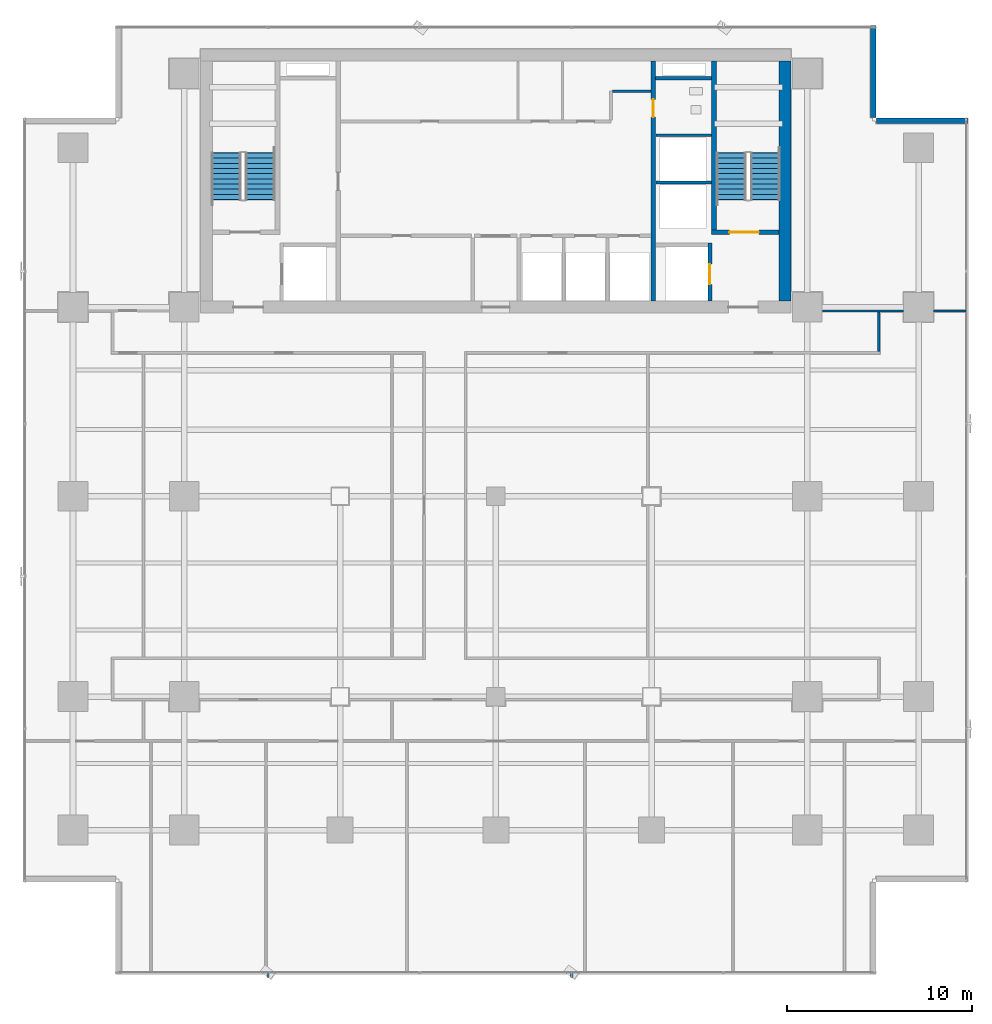
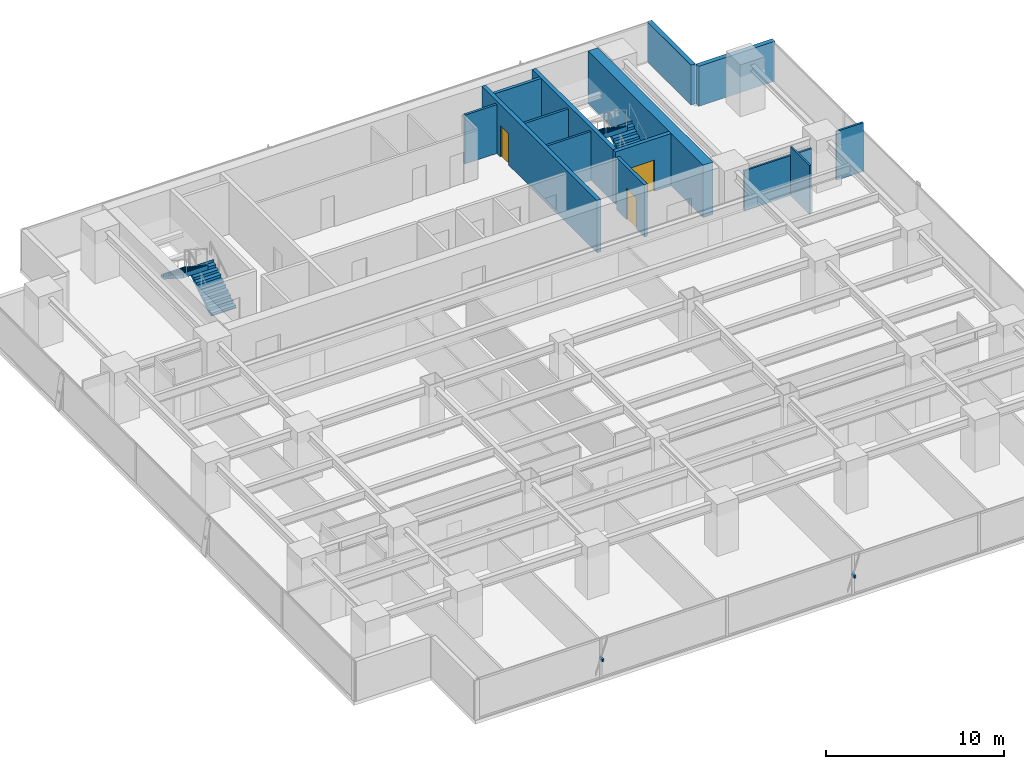
# One storey, part 30 of 36: 14 walls, 4 stair flights, 3 doors, 2 discrete accessories, 3 openings, 2 elements without a shape of their own.
"""IFC4 building model written with IfcOpenShell, lengths in metres."""

from ifc_helpers import new_model, si_unit, direction, frame, frame_2d, origin, origin_2d, place, context, subcontext, project, spatial, polyline, rectangle, outline, extrude, source, transform, mapped, material, layer, layer_set, material_profile, profile_set, type_object, element, fill, aggregate, save


model = new_model("IFC4")

# Units and contexts
model_context = context("Model", 3, precision=1e-05, world=origin(), true_north=direction((0.0, 1.0)))
body_context = subcontext(model_context, "Body", "Model", "MODEL_VIEW")
ifc_project = project(units=[si_unit("LENGTHUNIT", "METRE"), si_unit("AREAUNIT", "SQUARE_METRE"), si_unit("VOLUMEUNIT", "CUBIC_METRE"), si_unit("PLANEANGLEUNIT", "RADIAN"), si_unit("MASSUNIT", "GRAM", prefix="KILO")], contexts=[model_context])

# Site, building, storey
site_placement = place(None, origin())
site = spatial("IfcSite", under=ifc_project, at=site_placement, CompositionType="ELEMENT")
building_placement = place(site_placement, origin())
building = spatial("IfcBuilding", under=site, at=building_placement, Name="Sumidabori Civic Tower", CompositionType="ELEMENT")
storey_placement = place(building_placement, frame((0.0, 0.0, 84.800048828125)))
storey = spatial("IfcBuildingStorey", under=building, at=storey_placement, Name="L21", CompositionType="ELEMENT", Elevation=84.800048828125)

# Walls
ifc_material_1 = material(Name="Concrete C50/60", Category="concrete")
ifc_layer_1 = layer(ifc_material_1, 0.199951171875, Name="Concrete C50/60")
ifc_layer_set_1 = layer_set([ifc_layer_1], Name="Concrete C50/60")
wall_type_1 = type_object("IfcWallType", Name="WL-SHAFT-200", PredefinedType="SHEAR", material=ifc_layer_set_1)
shared_shape_1 = source(origin(), body_context, "Body", "SweptSolid", [
    extrude(rectangle(XDim=3.02001953125, YDim=0.199951171875, at=frame_2d((1.510009765625, 0.0))), origin(), (0.0, 0.0, 1.0), 3.599853515625),
])
wall_1_placement = place(storey_placement, frame((8.625, 22.550048828125, 0.0), z_axis=(0.0, 0.0, 1.0), x_axis=(1.0, 0.0, 0.0)))
element("IfcWall", 1, at=wall_1_placement, inside=storey, type_object=wall_type_1, Name="Core Shear Wall L21 RIS2-S", PredefinedType="SHEAR", context=body_context, shape_type="MappedRepresentation", body=[
    mapped(shared_shape_1, transform((0.0, 0.0, 0.0), x_axis=(1.0, 0.0, 0.0), y_axis=(0.0, 1.0, 0.0), z_axis=(0.0, 0.0, 1.0), scale=1.0)),
])
ifc_material_2 = material(Name="Concrete C60/75", Category="concrete")
ifc_layer_2 = layer(ifc_material_2, 0.64990234375, Name="Concrete C60/75")
ifc_layer_set_2 = layer_set([ifc_layer_2], Name="Concrete C60/75")
wall_type_2 = type_object("IfcWallType", Name="WL-CORE-650", PredefinedType="SHEAR", material=ifc_layer_set_2)
shared_shape_2 = source(origin(), body_context, "Body", "SweptSolid", [
    extrude(rectangle(XDim=12.9501953125, YDim=0.64990234375, at=frame_2d((6.47509765625, 0.0))), origin(), (0.0, 0.0, 1.0), 3.599853515625),
])
wall_2_placement = place(storey_placement, frame((15.60009765625, 10.52490234375, 0.0), z_axis=(0.0, 0.0, 1.0), x_axis=(0.0, 1.0, 0.0)))
element("IfcWall", 2, at=wall_2_placement, inside=storey, type_object=wall_type_2, Name="Core Shear Wall L21 E", PredefinedType="SHEAR", context=body_context, shape_type="MappedRepresentation", body=[
    mapped(shared_shape_2, transform((0.0, 0.0, 0.0), x_axis=(1.0, 0.0, 0.0), y_axis=(0.0, 1.0, 0.0), z_axis=(0.0, 0.0, 1.0), scale=1.0)),
])

# Wall, opening, door
ifc_layer_3 = layer(ifc_material_1, 0.25, Name="Concrete C50/60")
ifc_layer_set_3 = layer_set([ifc_layer_3], Name="Concrete C50/60")
wall_type_3 = type_object("IfcWallType", Name="WL-SHAFT-250", PredefinedType="SHEAR", material=ifc_layer_set_3)
shared_shape_3 = source(origin(), body_context, "Body", "SweptSolid", [
    extrude(rectangle(XDim=12.9501953125, YDim=0.25, at=frame_2d((6.47509765625, 0.0))), origin(), (0.0, 0.0, 1.0), 3.599853515625),
])
wall_3_placement = place(storey_placement, frame((8.5, 10.52490234375, 0.0), z_axis=(0.0, 0.0, 1.0), x_axis=(0.0, 1.0, 0.0)))
wall_3 = element("IfcWall", 3, at=wall_3_placement, inside=storey, type_object=wall_type_3, Name="Core Shear Wall L21 WEB-E", PredefinedType="SHEAR", context=body_context, shape_type="MappedRepresentation", body=[
    mapped(shared_shape_3, transform((0.0, 0.0, 0.0), x_axis=(1.0, 0.0, 0.0), y_axis=(0.0, 1.0, 0.0), z_axis=(0.0, 0.0, 1.0), scale=1.0)),
])
opening_1_placement = place(wall_3_placement, frame((9.925048828125, 0.0, 0.0)))
opening_1 = element("IfcOpeningElement", 4, at=opening_1_placement, cuts=wall_3, Name="Opening DR-2", PredefinedType="OPENING", context=body_context, shape_type="SweptSolid", body=[
    extrude(rectangle(XDim=0.949951171875, YDim=2.14990234375, at=frame_2d((0.47509765625, 1.074951171875))), frame((0.0, 0.136962890625, 0.0), z_axis=(0.0, -1.0, 0.0), x_axis=(1.0, 0.0, 0.0)), (0.0, 0.0, 1.0), 0.27392578125),
])
ifc_material_3 = material(Name="Japanese Hinoki Timber", Category="wood")
door_type_1 = type_object("IfcDoorType", Name="DR-INT-950", OperationType="NOTDEFINED", PredefinedType="DOOR", material=ifc_material_3)
shared_shape_4 = source(origin(), body_context, "Body", "SweptSolid", [
    extrude(rectangle(XDim=0.949951171875, YDim=2.14990234375, at=frame_2d((0.47509765625, 1.074951171875))), frame((0.0, 0.02490234375, 0.0), z_axis=(0.0, -1.0, 0.0), x_axis=(1.0, 0.0, 0.0)), (0.0, 0.0, 1.0), 0.050048828125),
])
door_1_placement = place(opening_1_placement, origin())
door_1 = element("IfcDoor", 5, at=door_1_placement, inside=storey, type_object=door_type_1, Name="Door DR:L21:WC-ACC", OperationType="SINGLE_SWING_RIGHT", OverallHeight=2.14990234375, OverallWidth=0.949951171875, PredefinedType="DOOR", context=body_context, shape_type="MappedRepresentation", body=[
    mapped(shared_shape_4, transform((0.0, 0.0, 0.0), x_axis=(1.0, 0.0, 0.0), y_axis=(0.0, 1.0, 0.0), z_axis=(0.0, 0.0, 1.0), scale=1.0)),
])
fill(opening_1, door_1)

shared_shape_5 = source(origin(), body_context, "Body", "SweptSolid", [
    extrude(rectangle(XDim=3.6298828125, YDim=0.25, at=frame_2d((1.81494140625, 0.0))), origin(), (0.0, 0.0, 1.0), 3.599853515625),
])
wall_4_placement = place(storey_placement, frame((11.64501953125, 14.25, 0.0), z_axis=(0.0, 0.0, 1.0), x_axis=(1.0, 0.0, 0.0)))
wall_4 = element("IfcWall", 6, at=wall_4_placement, inside=storey, type_object=wall_type_3, Name="Core Shear Wall L21 ST2-S", PredefinedType="SHEAR", context=body_context, shape_type="MappedRepresentation", body=[
    mapped(shared_shape_5, transform((0.0, 0.0, 0.0), x_axis=(1.0, 0.0, 0.0), y_axis=(0.0, 1.0, 0.0), z_axis=(0.0, 0.0, 1.0), scale=1.0)),
])
opening_2_placement = place(wall_4_placement, frame((0.949951171875, 0.0, 0.0)))
opening_2 = element("IfcOpeningElement", 7, at=opening_2_placement, cuts=wall_4, Name="Opening DR-FD4", PredefinedType="OPENING", context=body_context, shape_type="SweptSolid", body=[
    extrude(rectangle(XDim=1.60009765625, YDim=2.14990234375, at=frame_2d((0.800048828125, 1.074951171875))), frame((0.0, 0.136962890625, 0.0), z_axis=(0.0, -1.0, 0.0), x_axis=(1.0, 0.0, 0.0)), (0.0, 0.0, 1.0), 0.27392578125),
])
ifc_material_4 = material(Name="Steel SN490", Category="steel")
door_type_2 = type_object("IfcDoorType", Name="DR-FD4", OperationType="DOUBLE_DOOR_SINGLE_SWING", PredefinedType="DOOR", material=ifc_material_4)
shared_shape_6 = source(origin(), body_context, "Body", "SweptSolid", [
    extrude(rectangle(XDim=1.60009765625, YDim=2.14990234375, at=frame_2d((0.800048828125, 1.074951171875))), frame((0.0, 0.02490234375, 0.0), z_axis=(0.0, -1.0, 0.0), x_axis=(1.0, 0.0, 0.0)), (0.0, 0.0, 1.0), 0.050048828125),
])
door_2_placement = place(opening_2_placement, origin())
door_2 = element("IfcDoor", 8, at=door_2_placement, inside=storey, type_object=door_type_2, Name="Door DR:L21:ST2", OperationType="DOUBLE_DOOR_SINGLE_SWING", OverallHeight=2.14990234375, OverallWidth=1.60009765625, PredefinedType="DOOR", context=body_context, shape_type="MappedRepresentation", body=[
    mapped(shared_shape_6, transform((0.0, 0.0, 0.0), x_axis=(1.0, 0.0, 0.0), y_axis=(0.0, 1.0, 0.0), z_axis=(0.0, 0.0, 1.0), scale=1.0)),
])
fill(opening_2, door_2)

# Wall
shared_shape_7 = source(origin(), body_context, "Body", "SweptSolid", [
    extrude(rectangle(XDim=9.10009765625, YDim=0.25, at=frame_2d((4.550048828125, 0.0))), origin(), (0.0, 0.0, 1.0), 3.599853515625),
])
wall_5_placement = place(storey_placement, frame((11.77001953125, 14.375, 0.0), z_axis=(0.0, 0.0, 1.0), x_axis=(0.0, 1.0, 0.0)))
element("IfcWall", 9, at=wall_5_placement, inside=storey, type_object=wall_type_3, Name="Core Shear Wall L21 ST2-W", PredefinedType="SHEAR", context=body_context, shape_type="MappedRepresentation", body=[
    mapped(shared_shape_7, transform((0.0, 0.0, 0.0), x_axis=(1.0, 0.0, 0.0), y_axis=(0.0, 1.0, 0.0), z_axis=(0.0, 0.0, 1.0), scale=1.0)),
])

# Wall, opening, door
shared_shape_8 = source(origin(), body_context, "Body", "SweptSolid", [
    extrude(rectangle(XDim=3.125, YDim=0.199951171875, at=frame_2d((1.5625, 0.0))), origin(), (0.0, 0.0, 1.0), 3.599853515625),
])
wall_6_placement = place(storey_placement, frame((11.550048828125, 10.52490234375, 0.0), z_axis=(0.0, 0.0, 1.0), x_axis=(0.0, 1.0, 0.0)))
wall_6 = element("IfcWall", 10, at=wall_6_placement, inside=storey, type_object=wall_type_1, Name="Core Shear Wall L21 EL2-E", PredefinedType="SHEAR", context=body_context, shape_type="MappedRepresentation", body=[
    mapped(shared_shape_8, transform((0.0, 0.0, 0.0), x_axis=(1.0, 0.0, 0.0), y_axis=(0.0, 1.0, 0.0), z_axis=(0.0, 0.0, 1.0), scale=1.0)),
])
opening_3_placement = place(wall_6_placement, frame((0.89990234375, 0.0, 0.0)))
opening_3 = element("IfcOpeningElement", 11, at=opening_3_placement, cuts=wall_6, Name="Opening LD-2", PredefinedType="OPENING", context=body_context, shape_type="SweptSolid", body=[
    extrude(rectangle(XDim=1.10009765625, YDim=2.14990234375, at=frame_2d((0.550048828125, 1.074951171875))), frame((0.0, 0.11181640625, 0.0), z_axis=(0.0, -1.0, 0.0), x_axis=(1.0, 0.0, 0.0)), (0.0, 0.0, 1.0), 0.223876953125),
])
ifc_material_5 = material(Name="Stainless Steel Hairline Finish", Category="steel")
door_type_3 = type_object("IfcDoorType", Name="DR-LD2", OperationType="DOUBLE_DOOR_SLIDING", PredefinedType="DOOR", material=ifc_material_5)
shared_shape_9 = source(origin(), body_context, "Body", "SweptSolid", [
    extrude(rectangle(XDim=1.10009765625, YDim=2.14990234375, at=frame_2d((0.550048828125, 1.074951171875))), frame((0.0, 0.02490234375, 0.0), z_axis=(0.0, -1.0, 0.0), x_axis=(1.0, 0.0, 0.0)), (0.0, 0.0, 1.0), 0.050048828125),
])
door_3_placement = place(opening_3_placement, origin())
door_3 = element("IfcDoor", 12, at=door_3_placement, inside=storey, type_object=door_type_3, Name="Door DR:L21:LD-EL2", OperationType="DOUBLE_DOOR_SLIDING", OverallHeight=2.14990234375, OverallWidth=1.10009765625, PredefinedType="DOOR", context=body_context, shape_type="MappedRepresentation", body=[
    mapped(shared_shape_9, transform((0.0, 0.0, 0.0), x_axis=(1.0, 0.0, 0.0), y_axis=(0.0, 1.0, 0.0), z_axis=(0.0, 0.0, 1.0), scale=1.0)),
])
fill(opening_3, door_3)

# Walls
ifc_material_6 = material(Name="Precast concrete C40/50", Category="concrete")
ifc_layer_4 = layer(ifc_material_6, 0.300048828125, Name="Precast concrete C40/50")
ifc_layer_set_4 = layer_set([ifc_layer_4], Name="Precast concrete C40/50")
wall_type_4 = type_object("IfcWallType", Name="WL-EXT-POD300", PredefinedType="STANDARD", material=ifc_layer_set_4)
shared_shape_10 = source(origin(), body_context, "Body", "SweptSolid", [
    extrude(rectangle(XDim=4.9599609375, YDim=0.300048828125, at=frame_2d((2.47998046875, 0.0))), origin(), (0.0, 0.0, 1.0), 2.739990234375),
])
for number, where, z_axis, x_axis, name in (
    (13, (25.47998046875, 20.25, 0.0), (0.0, 0.0, 1.0), (-1.0, 0.0, 0.0), "Notched Corner Spandrel Band L21-05"),
    (14, (20.35009765625, 20.419921875, 0.0), (0.0, 0.0, 1.0), (0.0, 1.0, 0.0), "Notched Corner Spandrel Band L21-06"),
):
    element("IfcWall", number, at=place(storey_placement, frame(where, z_axis=z_axis, x_axis=x_axis)), inside=storey, type_object=wall_type_4, Name=name, PredefinedType="STANDARD", context=body_context, shape_type="MappedRepresentation", body=[
        mapped(shared_shape_10, transform((0.0, 0.0, 0.0), x_axis=(1.0, 0.0, 0.0), y_axis=(0.0, 1.0, 0.0), z_axis=(0.0, 0.0, 1.0), scale=1.0)),
    ])
ifc_material_7 = material(Name="Gypsum Plasterboard Acoustic Partition")
ifc_layer_5 = layer(ifc_material_7, 0.14990234375, Name="Gypsum Plasterboard Acoustic Partition")
ifc_layer_set_5 = layer_set([ifc_layer_5], Name="Gypsum Plasterboard Acoustic Partition")
wall_type_5 = type_object("IfcWallType", Name="WL-PART-150", PredefinedType="PARTITIONING", material=ifc_layer_set_5)
shared_shape_11 = source(origin(), body_context, "Body", "SweptSolid", [
    extrude(rectangle(XDim=3.010009765625, YDim=0.14990234375, at=frame_2d((1.5048828125, 0.0))), origin(), (0.0, 0.0, 1.0), 3.35986328125),
])
for number, where, z_axis, x_axis, name in (
    (15, (8.6298828125, 16.919921875, 0.0), (0.0, 0.0, 1.0), (1.0, 0.0, 0.0), "Interior Partition WL:L21:DIV-OBS1"),
    (16, (8.6298828125, 19.469970703125, 0.0), (0.0, 0.0, 1.0), (1.0, 0.0, 0.0), "Interior Partition WL:L21:DIV-OBS2"),
):
    element("IfcWall", number, at=place(storey_placement, frame(where, z_axis=z_axis, x_axis=x_axis)), inside=storey, type_object=wall_type_5, Name=name, PredefinedType="PARTITIONING", context=body_context, shape_type="MappedRepresentation", body=[
        mapped(shared_shape_11, transform((0.0, 0.0, 0.0), x_axis=(1.0, 0.0, 0.0), y_axis=(0.0, 1.0, 0.0), z_axis=(0.0, 0.0, 1.0), scale=1.0)),
    ])
shared_shape_12 = source(origin(), body_context, "Body", "SweptSolid", [
    extrude(rectangle(XDim=2.070068359375, YDim=0.14990234375, at=frame_2d((1.03515625, 0.0))), origin(), (0.0, 0.0, 1.0), 3.35986328125),
])
wall_7_placement = place(storey_placement, frame((6.300048828125, 21.85009765625, 0.0), z_axis=(0.0, 0.0, 1.0), x_axis=(1.0, 0.0, 0.0)))
element("IfcWall", 17, at=wall_7_placement, inside=storey, type_object=wall_type_5, Name="Interior Partition WL:L21:CBAND-ME2", PredefinedType="PARTITIONING", context=body_context, shape_type="MappedRepresentation", body=[
    mapped(shared_shape_12, transform((0.0, 0.0, 0.0), x_axis=(1.0, 0.0, 0.0), y_axis=(0.0, 1.0, 0.0), z_axis=(0.0, 0.0, 1.0), scale=1.0)),
])
ifc_layer_6 = layer(ifc_material_7, 0.1201171875, Name="Gypsum Plasterboard Acoustic Partition")
ifc_layer_set_6 = layer_set([ifc_layer_6], Name="Gypsum Plasterboard Acoustic Partition")
wall_type_6 = type_object("IfcWallType", Name="WL-PART-120", PredefinedType="PARTITIONING", material=ifc_layer_set_6)
shared_shape_13 = source(origin(), body_context, "Body", "SweptSolid", [
    extrude(rectangle(XDim=1.739990234375, YDim=0.1201171875, at=frame_2d((0.8701171875, 0.0))), origin(), (0.0, 0.0, 1.0), 3.35986328125),
])
wall_8_placement = place(storey_placement, frame((23.610107421875, 10.0, 0.0), z_axis=(0.0, 0.0, 1.0), x_axis=(1.0, 0.0, 0.0)))
element("IfcWall", 18, at=wall_8_placement, inside=storey, type_object=wall_type_6, Name="Interior Partition WL:L21:FLK-NE-2", PredefinedType="PARTITIONING", context=body_context, shape_type="MappedRepresentation", body=[
    mapped(shared_shape_13, transform((0.0, 0.0, 0.0), x_axis=(1.0, 0.0, 0.0), y_axis=(0.0, 1.0, 0.0), z_axis=(0.0, 0.0, 1.0), scale=1.0)),
])
shared_shape_14 = source(origin(), body_context, "Body", "SweptSolid", [
    extrude(rectangle(XDim=4.3798828125, YDim=0.1201171875, at=frame_2d((2.18994140625, 0.0))), origin(), (0.0, 0.0, 1.0), 2.744873046875),
])
wall_9_placement = place(storey_placement, frame((17.610107421875, 10.0, 0.0), z_axis=(0.0, 0.0, 1.0), x_axis=(1.0, 0.0, 0.0)))
element("IfcWall", 19, at=wall_9_placement, inside=storey, type_object=wall_type_6, Name="Interior Partition WL:L21:FLK-NE-1", PredefinedType="PARTITIONING", context=body_context, shape_type="MappedRepresentation", body=[
    mapped(shared_shape_14, transform((0.0, 0.0, 0.0), x_axis=(1.0, 0.0, 0.0), y_axis=(0.0, 1.0, 0.0), z_axis=(0.0, 0.0, 1.0), scale=1.0)),
])
shared_shape_15 = source(origin(), body_context, "Body", "SweptSolid", [
    extrude(rectangle(XDim=2.130126953125, YDim=0.1201171875, at=frame_2d((1.06494140625, 0.0))), origin(), (0.0, 0.0, 1.0), 3.35986328125),
])
wall_10_placement = place(storey_placement, frame((20.659912109375, 7.804931640625, 0.0), z_axis=(0.0, 0.0, 1.0), x_axis=(0.0, 1.0, 0.0)))
element("IfcWall", 20, at=wall_10_placement, inside=storey, type_object=wall_type_6, Name="Interior Partition WL:L21:CORR-VNE", PredefinedType="PARTITIONING", context=body_context, shape_type="MappedRepresentation", body=[
    mapped(shared_shape_15, transform((0.0, 0.0, 0.0), x_axis=(1.0, 0.0, 0.0), y_axis=(0.0, 1.0, 0.0), z_axis=(0.0, 0.0, 1.0), scale=1.0)),
])

# Stair, stair flights
ifc_material_8 = material(Name="Concrete C40/50", Category="concrete")
stair_type = type_object("IfcStairType", Name="ST-CORE-1600", PredefinedType="HALF_TURN_STAIR", material=ifc_material_8)
stair_1_placement = place(storey_placement, origin())
stair_1 = element("IfcStair", 21, at=stair_1_placement, inside=storey, type_object=stair_type, Name="L21 ST-1", PredefinedType="HALF_TURN_STAIR")
stair_flight_type = type_object("IfcStairFlightType", Name="SF-CORE-1600", PredefinedType="STRAIGHT", material=ifc_material_8)
shared_shape_16 = source(origin(), body_context, "Body", "SweptSolid", [
    extrude(outline(polyline([(-0.02490234375, 0.0), (-0.02490234375, 0.0400390625), (0.0, 0.0400390625), (0.0, 0.179931640625), (0.280029296875, 0.179931640625), (0.280029296875, 0.360107421875), (0.56005859375, 0.360107421875), (0.56005859375, 0.5400390625), (0.840087890625, 0.5400390625), (0.840087890625, 0.719970703125), (1.1201171875, 0.719970703125), (1.1201171875, 0.89990234375), (1.39990234375, 0.89990234375), (1.39990234375, 1.080078125), (1.679931640625, 1.080078125), (1.679931640625, 1.260009765625), (1.9599609375, 1.260009765625), (1.9599609375, 1.43994140625), (2.239990234375, 1.43994140625), (2.239990234375, 1.6201171875), (2.52001953125, 1.6201171875), (2.52001953125, 1.800048828125), (2.544921875, 1.800048828125), (2.544921875, 1.650146484375), (2.52001953125, 1.44189453125), (0.277099609375, 0.0), (-0.02490234375, 0.0)])), frame((0.0, 0.800048828125, 0.0), z_axis=(0.0, -1.0, 0.0), x_axis=(1.0, 0.0, 0.0)), (0.0, 0.0, 1.0), 1.60009765625),
])
stair_flight_1_placement = place(storey_placement, frame((-12.699951171875, 16.0, 0.0), z_axis=(0.0, 0.0, 1.0), x_axis=(0.0, 1.0, 0.0)))
stair_flight_1 = element("IfcStairFlight", 22, at=stair_flight_1_placement, type_object=stair_flight_type, Name="ST-1 flight 1", NumberOfRisers=10, NumberOfTreads=9, PredefinedType="STRAIGHT", RiserHeight=0.18, TreadLength=0.28, context=body_context, shape_type="MappedRepresentation", body=[
    mapped(shared_shape_16, transform((0.0, 0.0, 0.0), x_axis=(1.0, 0.0, 0.0), y_axis=(0.0, 1.0, 0.0), z_axis=(0.0, 0.0, 1.0), scale=1.0)),
])
stair_flight_2_placement = place(storey_placement, frame((-14.5400390625, 18.52001953125, 1.800048828125), z_axis=(0.0, 0.0, 1.0), x_axis=(0.0, -1.0, 0.0)))
stair_flight_2 = element("IfcStairFlight", 23, at=stair_flight_2_placement, type_object=stair_flight_type, Name="ST-1 flight 2", NumberOfRisers=10, NumberOfTreads=9, PredefinedType="STRAIGHT", RiserHeight=0.18, TreadLength=0.28, context=body_context, shape_type="MappedRepresentation", body=[
    mapped(shared_shape_16, transform((0.0, 0.0, 0.0), x_axis=(1.0, 0.0, 0.0), y_axis=(0.0, 1.0, 0.0), z_axis=(0.0, 0.0, 1.0), scale=1.0)),
])
aggregate(stair_1, [stair_flight_1, stair_flight_2])

stair_2_placement = place(storey_placement, origin())
stair_2 = element("IfcStair", 24, at=stair_2_placement, inside=storey, type_object=stair_type, Name="L21 ST-2", PredefinedType="HALF_TURN_STAIR")
stair_flight_3_placement = place(storey_placement, frame((14.5400390625, 16.0, 0.0), z_axis=(0.0, 0.0, 1.0), x_axis=(0.0, 1.0, 0.0)))
stair_flight_3 = element("IfcStairFlight", 25, at=stair_flight_3_placement, type_object=stair_flight_type, Name="ST-2 flight 1", NumberOfRisers=10, NumberOfTreads=9, PredefinedType="STRAIGHT", RiserHeight=0.18, TreadLength=0.28, context=body_context, shape_type="MappedRepresentation", body=[
    mapped(shared_shape_16, transform((0.0, 0.0, 0.0), x_axis=(1.0, 0.0, 0.0), y_axis=(0.0, 1.0, 0.0), z_axis=(0.0, 0.0, 1.0), scale=1.0)),
])
stair_flight_4_placement = place(storey_placement, frame((12.699951171875, 18.52001953125, 1.800048828125), z_axis=(0.0, 0.0, 1.0), x_axis=(0.0, -1.0, 0.0)))
stair_flight_4 = element("IfcStairFlight", 26, at=stair_flight_4_placement, type_object=stair_flight_type, Name="ST-2 flight 2", NumberOfRisers=10, NumberOfTreads=9, PredefinedType="STRAIGHT", RiserHeight=0.18, TreadLength=0.28, context=body_context, shape_type="MappedRepresentation", body=[
    mapped(shared_shape_16, transform((0.0, 0.0, 0.0), x_axis=(1.0, 0.0, 0.0), y_axis=(0.0, 1.0, 0.0), z_axis=(0.0, 0.0, 1.0), scale=1.0)),
])
aggregate(stair_2, [stair_flight_3, stair_flight_4])

# Discrete accessories
ifc_material_profile = material_profile(ifc_material_5, rectangle(XDim=0.1201171875, YDim=0.179931640625, at=origin_2d()), Name="STEEL BRACKET 180x120")
ifc_profile_set = profile_set([ifc_material_profile], Name="Stainless Steel Hairline Finish")
discrete_accessory_type = type_object("IfcDiscreteAccessoryType", Name="AC-BRK-180", PredefinedType="BRACKET", material=ifc_profile_set)
shared_shape_17 = source(origin(), body_context, "Body", "SweptSolid", [
    extrude(rectangle(XDim=0.1201171875, YDim=0.179931640625, at=origin_2d()), origin(), (0.0, 0.0, 1.0), 0.330078125),
])
for number, where, z_axis, x_axis, name in (
    (27, (-12.281982421875, -25.6298828125, 1.35986328125), (0.0, -1.0, 0.0), (1.0, 0.0, 0.0), "Bronze Fin Fixing Bracket L21-01"),
    (28, (4.093994140625, -25.6298828125, 1.35986328125), (0.0, -1.0, 0.0), (1.0, 0.0, 0.0), "Bronze Fin Fixing Bracket L21-03"),
):
    element("IfcDiscreteAccessory", number, at=place(storey_placement, frame(where, z_axis=z_axis, x_axis=x_axis)), inside=storey, type_object=discrete_accessory_type, Name=name, PredefinedType="BRACKET", context=body_context, shape_type="MappedRepresentation", body=[
        mapped(shared_shape_17, transform((0.0, 0.0, 0.0), x_axis=(1.0, 0.0, 0.0), y_axis=(0.0, 1.0, 0.0), z_axis=(0.0, 0.0, 1.0), scale=1.0)),
    ])

save(model, "model.ifc")
